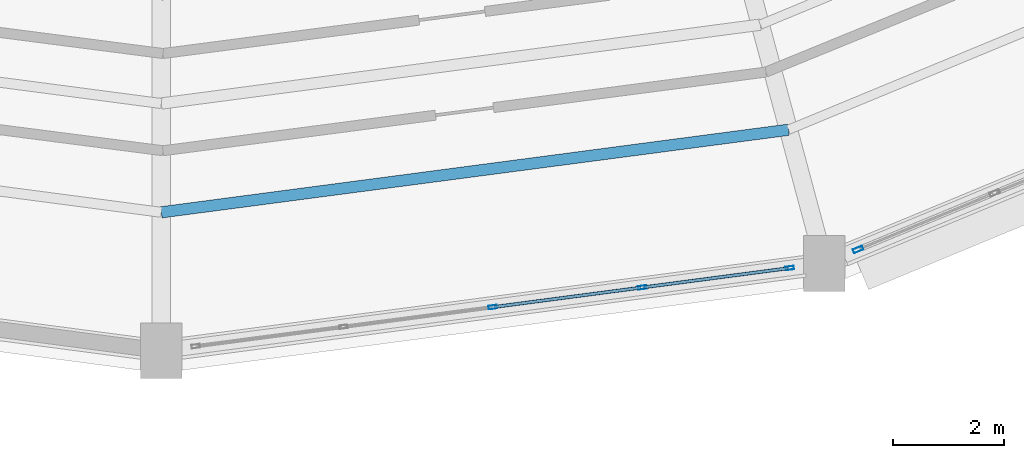
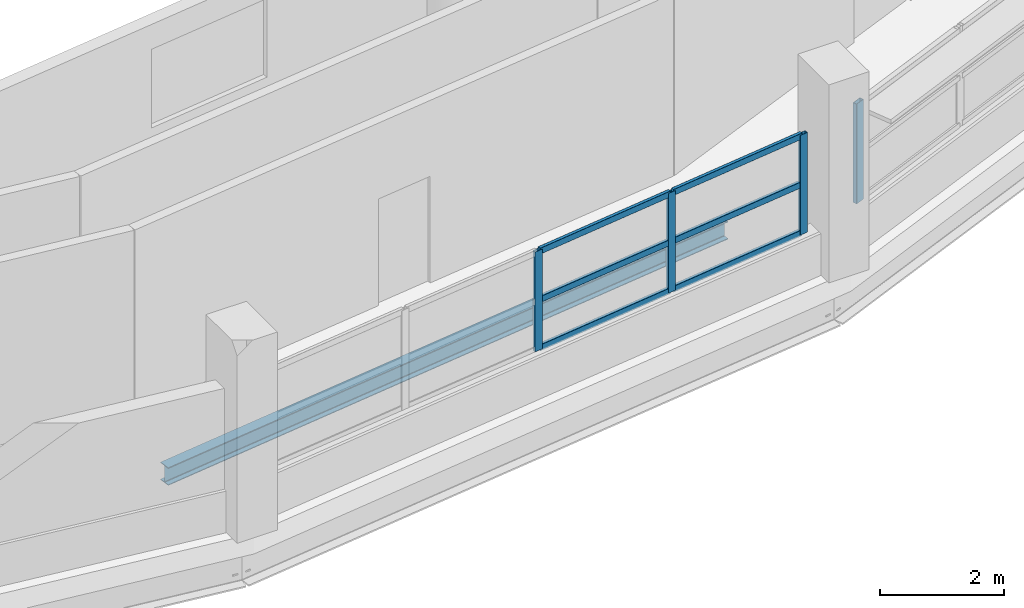
# One storey, part 40 of 108: 10 members, 1 beam, 2 elements without a shape of their own.
"""IFC4 building model written with IfcOpenShell, lengths in metres."""

from ifc_helpers import new_model, si_unit, direction, frame, origin, origin_2d, place, context, subcontext, project, spatial, hollow_rectangle, i_section, extrude, material, layer, layer_set, material_profile, profile_set, type_object, element, aggregate, save


model = new_model("IFC4")

# Units and contexts
model_context = context("Model", 3, precision=1e-05, world=origin(), true_north=direction((0.0, 1.0)))
body_context = subcontext(model_context, "Body", "Model", "MODEL_VIEW")
ifc_project = project(units=[si_unit("LENGTHUNIT", "METRE"), si_unit("AREAUNIT", "SQUARE_METRE"), si_unit("VOLUMEUNIT", "CUBIC_METRE"), si_unit("PLANEANGLEUNIT", "RADIAN"), si_unit("MASSUNIT", "GRAM", prefix="KILO")], contexts=[model_context])

# Site, building, storey
site_placement = place(None, origin())
site = spatial("IfcSite", under=ifc_project, at=site_placement, CompositionType="ELEMENT")
building_placement = place(site_placement, origin())
building = spatial("IfcBuilding", under=site, at=building_placement, Name="Vespera Passage Community Centre", CompositionType="ELEMENT")
storey_placement = place(building_placement, frame((0.0, 0.0, 12.60009765625)))
storey = spatial("IfcBuildingStorey", under=building, at=storey_placement, Name="L03", CompositionType="ELEMENT", Elevation=12.60009765625)

# Beam
ifc_material_1 = material(Name="Steel ASTM A992 Grade 50", Category="steel")
ifc_material_profile_1 = material_profile(ifc_material_1, i_section(OverallWidth=0.2041015625, OverallDepth=0.3505859375, WebThickness=0.008544921875, FlangeThickness=0.01513671875, FilletRadius=0.01513671875, at=origin_2d()), Name="W14X48")
ifc_profile_set_1 = profile_set([ifc_material_profile_1], Name="Steel ASTM A992 Grade 50")
beam_type = type_object("IfcBeamType", Name="BM-J-W14X48", PredefinedType="JOIST", material=ifc_profile_set_1)
beam_placement = place(storey_placement, frame((78.0, 21.89208984375, -0.575439453125), z_axis=(0.991445679969, 0.130519974222, 0.0), x_axis=(-0.130519974222, 0.991445679969, 0.0)))
element("IfcBeam", 1, at=beam_placement, inside=storey, type_object=beam_type, Name="V4 L03 Floor Joist 18.3", PredefinedType="JOIST", context=body_context, shape_type="SweptSolid", body=[
    extrude(i_section(OverallWidth=0.2041015625, OverallDepth=0.3505859375, WebThickness=0.008544921875, FlangeThickness=0.01513671875, FilletRadius=0.01513671875, at=origin_2d()), origin(), (0.0, 0.0, 1.0), 11.384033203125),
])

# Curtain wall, members
ifc_material_2 = material(Name="Anodized aluminium 6063-T6", Category="aluminium")
ifc_layer_1 = layer(ifc_material_2, 0.159912109375)
ifc_layer_set_1 = layer_set([ifc_layer_1], Name="Anodized aluminium 6063-T6")
curtain_wall_type_1 = type_object("IfcCurtainWallType", Name="CW-43E", PredefinedType="NOTDEFINED", material=ifc_layer_set_1)
curtain_wall_1_placement = place(storey_placement, origin())
curtain_wall_1 = element("IfcCurtainWall", 2, at=curtain_wall_1_placement, inside=storey, type_object=curtain_wall_type_1, Name="V4 L03 Outer Ribbon Curtain Wall 18", PredefinedType="NOTDEFINED")
ifc_material_3 = material(Name="Anodized aluminium 6063-T6", Category="aluminium")
ifc_material_profile_2 = material_profile(ifc_material_3, hollow_rectangle(XDim=0.06494140625, YDim=0.14990234375, WallThickness=0.00390625, InnerFilletRadius=0.001953125, OuterFilletRadius=0.00390625, at=origin_2d()), Name="ALU150X65X4")
ifc_profile_set_2 = profile_set([ifc_material_profile_2], Name="Anodized aluminium 6063-T6")
member_type_1 = type_object("IfcMemberType", Name="MB-CWM-150E", PredefinedType="MULLION", material=ifc_profile_set_2)
member_1_placement = place(storey_placement, frame((89.311279296875, 20.88916015625, 0.81982421875), z_axis=(0.0, 0.0, 1.0), x_axis=(0.130530818696, -0.991444252276, 0.0)))
member_1 = element("IfcMember", 3, at=member_1_placement, type_object=member_type_1, Name="CW-43E mullion 1", PredefinedType="MULLION", context=body_context, shape_type="SweptSolid", body=[
    extrude(hollow_rectangle(XDim=0.06494140625, YDim=0.14990234375, WallThickness=0.00390625, InnerFilletRadius=0.001953125, OuterFilletRadius=0.00390625, at=origin_2d()), origin(), (0.0, 0.0, 1.0), 1.965576171875),
])
member_2_placement = place(storey_placement, frame((86.654541015625, 20.539306640625, 0.81982421875), z_axis=(0.0, 0.0, 1.0), x_axis=(0.130530818696, -0.991444252276, 0.0)))
member_2 = element("IfcMember", 4, at=member_2_placement, type_object=member_type_1, Name="CW-43E mullion 2", PredefinedType="MULLION", context=body_context, shape_type="SweptSolid", body=[
    extrude(hollow_rectangle(XDim=0.06494140625, YDim=0.14990234375, WallThickness=0.00390625, InnerFilletRadius=0.001953125, OuterFilletRadius=0.00390625, at=origin_2d()), origin(), (0.0, 0.0, 1.0), 1.965576171875),
])
member_3_placement = place(storey_placement, frame((83.9658203125, 20.185302734375, 0.81982421875), z_axis=(0.0, 0.0, 1.0), x_axis=(0.130530818696, -0.991444252276, 0.0)))
member_3 = element("IfcMember", 5, at=member_3_placement, type_object=member_type_1, Name="CW-43E mullion 3", PredefinedType="MULLION", context=body_context, shape_type="SweptSolid", body=[
    extrude(hollow_rectangle(XDim=0.06494140625, YDim=0.14990234375, WallThickness=0.00390625, InnerFilletRadius=0.001953125, OuterFilletRadius=0.00390625, at=origin_2d()), origin(), (0.0, 0.0, 1.0), 1.965576171875),
])

# Curtain wall, member
ifc_material_4 = material(Name="Anodized aluminium 6063-T6", Category="aluminium")
ifc_layer_2 = layer(ifc_material_4, 0.159912109375)
ifc_layer_set_2 = layer_set([ifc_layer_2], Name="Anodized aluminium 6063-T6")
curtain_wall_type_2 = type_object("IfcCurtainWallType", Name="CW-39E", PredefinedType="NOTDEFINED", material=ifc_layer_set_2)
curtain_wall_2_placement = place(storey_placement, origin())
curtain_wall_2 = element("IfcCurtainWall", 6, at=curtain_wall_2_placement, inside=storey, type_object=curtain_wall_type_2, Name="V4 L03 Outer Ribbon Curtain Wall 19", PredefinedType="NOTDEFINED")
ifc_material_5 = material(Name="Anodized aluminium 6063-T6", Category="aluminium")
ifc_material_profile_3 = material_profile(ifc_material_5, hollow_rectangle(XDim=0.074951171875, YDim=0.179931640625, WallThickness=0.0048828125, InnerFilletRadius=0.00244140625, OuterFilletRadius=0.0048828125, at=origin_2d()), Name="ALU180X75X5")
ifc_profile_set_3 = profile_set([ifc_material_profile_3], Name="Anodized aluminium 6063-T6")
member_type_2 = type_object("IfcMemberType", Name="MB-CWM-180E", PredefinedType="MULLION", material=ifc_profile_set_3)
member_4_placement = place(storey_placement, frame((90.539794921875, 21.22265625, 0.81982421875), z_axis=(0.0, 0.0, 1.0), x_axis=(0.382682936255, -0.923879738007, 0.0)))
member_4 = element("IfcMember", 7, at=member_4_placement, type_object=member_type_2, Name="CW-39E mullion 5", PredefinedType="MULLION", context=body_context, shape_type="SweptSolid", body=[
    extrude(hollow_rectangle(XDim=0.074951171875, YDim=0.179931640625, WallThickness=0.0048828125, InnerFilletRadius=0.00244140625, OuterFilletRadius=0.0048828125, at=origin_2d()), origin(), (0.0, 0.0, 1.0), 1.965576171875),
])
aggregate(curtain_wall_2, [member_4])

# Member
ifc_material_6 = material(Name="Anodized aluminium 6063-T6", Category="aluminium")
ifc_material_profile_4 = material_profile(ifc_material_6, hollow_rectangle(XDim=0.06005859375, YDim=0.1201171875, WallThickness=0.00390625, InnerFilletRadius=0.001953125, OuterFilletRadius=0.00390625, at=origin_2d()), Name="ALU120X60X4")
ifc_profile_set_4 = profile_set([ifc_material_profile_4], Name="Anodized aluminium 6063-T6")
member_type_3 = type_object("IfcMemberType", Name="MB-CWT-120E", PredefinedType="USERDEFINED", material=ifc_profile_set_4)
member_5_placement = place(storey_placement, frame((89.279052734375, 20.885009765625, 0.849853515625), z_axis=(-0.991443486455, -0.130536635342, 0.0), x_axis=(0.130536635342, -0.991443486455, 0.0)))
member_5 = element("IfcMember", 8, at=member_5_placement, type_object=member_type_3, Name="CW-43E transom 1.1", ObjectType="TRANSOM", PredefinedType="USERDEFINED", context=body_context, shape_type="SweptSolid", body=[
    extrude(hollow_rectangle(XDim=0.06005859375, YDim=0.1201171875, WallThickness=0.00390625, InnerFilletRadius=0.001953125, OuterFilletRadius=0.00390625, at=origin_2d()), origin(), (0.0, 0.0, 1.0), 2.61474609375),
])

member_6_placement = place(storey_placement, frame((89.279052734375, 20.885009765625, 1.802734375), z_axis=(-0.991443486455, -0.130536635342, 0.0), x_axis=(0.130536635342, -0.991443486455, 0.0)))
member_6 = element("IfcMember", 9, at=member_6_placement, type_object=member_type_3, Name="CW-43E transom 1.2", ObjectType="TRANSOM", PredefinedType="USERDEFINED", context=body_context, shape_type="SweptSolid", body=[
    extrude(hollow_rectangle(XDim=0.06005859375, YDim=0.1201171875, WallThickness=0.00390625, InnerFilletRadius=0.001953125, OuterFilletRadius=0.00390625, at=origin_2d()), origin(), (0.0, 0.0, 1.0), 2.61474609375),
])

member_7_placement = place(storey_placement, frame((89.279052734375, 20.885009765625, 2.755615234375), z_axis=(-0.991443486455, -0.130536635342, 0.0), x_axis=(0.130536635342, -0.991443486455, 0.0)))
member_7 = element("IfcMember", 10, at=member_7_placement, type_object=member_type_3, Name="CW-43E transom 1.3", ObjectType="TRANSOM", PredefinedType="USERDEFINED", context=body_context, shape_type="SweptSolid", body=[
    extrude(hollow_rectangle(XDim=0.06005859375, YDim=0.1201171875, WallThickness=0.00390625, InnerFilletRadius=0.001953125, OuterFilletRadius=0.00390625, at=origin_2d()), origin(), (0.0, 0.0, 1.0), 2.61474609375),
])

member_8_placement = place(storey_placement, frame((86.622314453125, 20.53515625, 0.849853515625), z_axis=(-0.991446445198, -0.130514161313, 0.0), x_axis=(0.130514161313, -0.991446445198, 0.0)))
member_8 = element("IfcMember", 11, at=member_8_placement, type_object=member_type_3, Name="CW-43E transom 2.1", ObjectType="TRANSOM", PredefinedType="USERDEFINED", context=body_context, shape_type="SweptSolid", body=[
    extrude(hollow_rectangle(XDim=0.06005859375, YDim=0.1201171875, WallThickness=0.00390625, InnerFilletRadius=0.001953125, OuterFilletRadius=0.00390625, at=origin_2d()), origin(), (0.0, 0.0, 1.0), 2.64697265625),
])

member_9_placement = place(storey_placement, frame((86.622314453125, 20.53515625, 1.802734375), z_axis=(-0.991446445198, -0.130514161313, 0.0), x_axis=(0.130514161313, -0.991446445198, 0.0)))
member_9 = element("IfcMember", 12, at=member_9_placement, type_object=member_type_3, Name="CW-43E transom 2.2", ObjectType="TRANSOM", PredefinedType="USERDEFINED", context=body_context, shape_type="SweptSolid", body=[
    extrude(hollow_rectangle(XDim=0.06005859375, YDim=0.1201171875, WallThickness=0.00390625, InnerFilletRadius=0.001953125, OuterFilletRadius=0.00390625, at=origin_2d()), origin(), (0.0, 0.0, 1.0), 2.64697265625),
])

member_10_placement = place(storey_placement, frame((86.622314453125, 20.53515625, 2.755615234375), z_axis=(-0.991446445198, -0.130514161313, 0.0), x_axis=(0.130514161313, -0.991446445198, 0.0)))
member_10 = element("IfcMember", 13, at=member_10_placement, type_object=member_type_3, Name="CW-43E transom 2.3", ObjectType="TRANSOM", PredefinedType="USERDEFINED", context=body_context, shape_type="SweptSolid", body=[
    extrude(hollow_rectangle(XDim=0.06005859375, YDim=0.1201171875, WallThickness=0.00390625, InnerFilletRadius=0.001953125, OuterFilletRadius=0.00390625, at=origin_2d()), origin(), (0.0, 0.0, 1.0), 2.64697265625),
])

aggregate(curtain_wall_1, [member_1, member_2, member_3, member_5, member_6, member_7, member_8, member_9, member_10])

save(model, "model.ifc")
